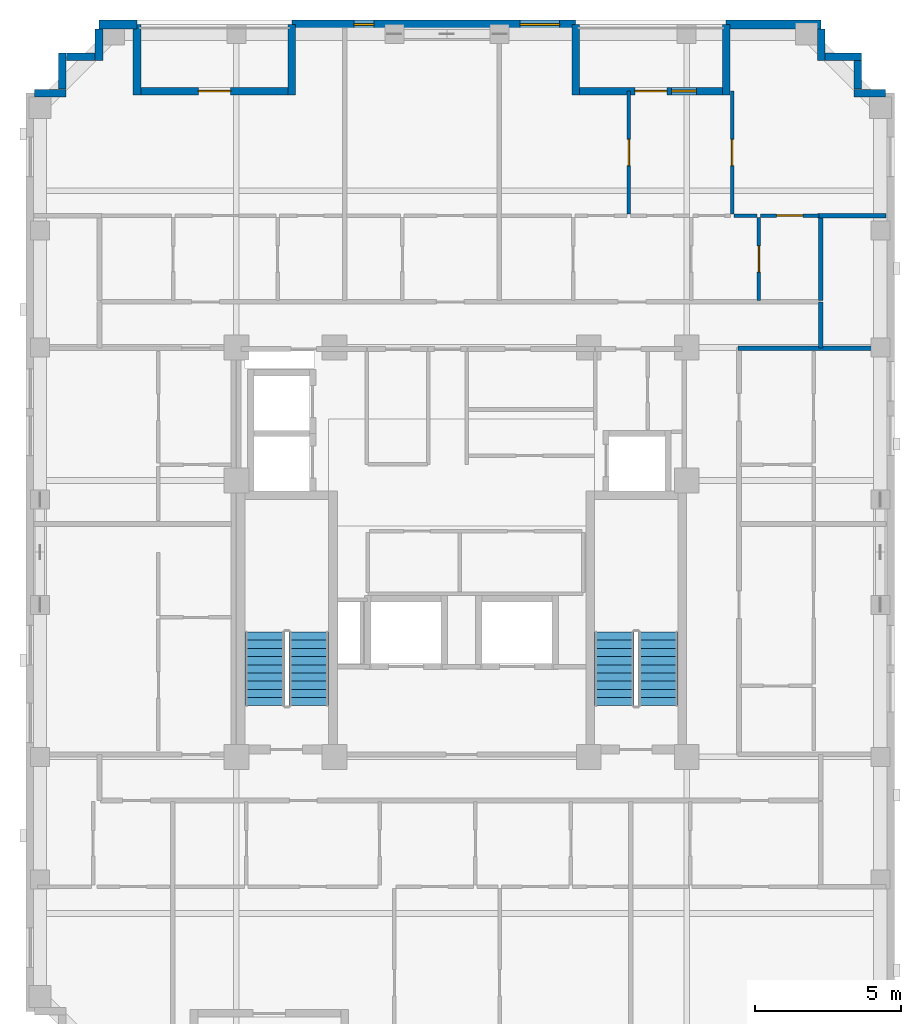
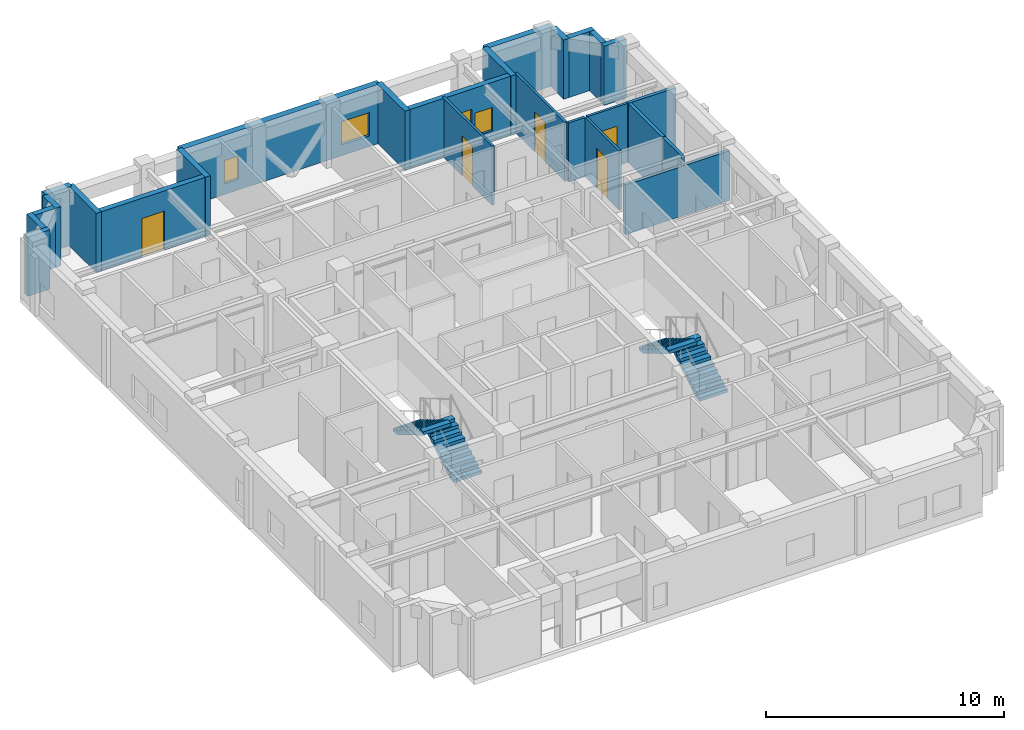
# One storey, part 7 of 11: 26 walls, 6 doors, 4 stair flights, 3 windows, 9 openings, 2 elements without a shape of their own.
"""IFC4 building model written with IfcOpenShell, lengths in metres."""

from ifc_helpers import new_model, si_unit, derived_unit, direction, frame, frame_2d, origin, place, context, subcontext, project, spatial, polyline, rectangle, outline, extrude, material, layer, layer_set, type_object, element, fill, aggregate, save


model = new_model("IFC4")

# Units and contexts
model_context = context("Model", 3, precision=1e-05, world=origin(), true_north=direction((0.0, 1.0)))
body_context = subcontext(model_context, "Body", "Model", "MODEL_VIEW")
ifc_project = project(units=[si_unit("LENGTHUNIT", "METRE"), si_unit("AREAUNIT", "SQUARE_METRE"), si_unit("VOLUMEUNIT", "CUBIC_METRE"), si_unit("PLANEANGLEUNIT", "RADIAN"), si_unit("MASSUNIT", "GRAM", prefix="KILO"), derived_unit("THERMALTRANSMITTANCEUNIT", [(si_unit("MASSUNIT", "GRAM", prefix="KILO"), 1), (si_unit("TIMEUNIT", "SECOND"), -3), (si_unit("THERMODYNAMICTEMPERATUREUNIT", "KELVIN"), -1)])], contexts=[model_context])

# Site, building, storey
site_placement = place(None, origin())
site = spatial("IfcSite", under=ifc_project, at=site_placement, CompositionType="ELEMENT")
building_placement = place(site_placement, origin())
building = spatial("IfcBuilding", under=site, at=building_placement, Name="Korrvale Station Residences", CompositionType="ELEMENT")
storey_placement = place(building_placement, frame((0.0, 0.0, 190.89990234375)))
storey = spatial("IfcBuildingStorey", under=building, at=storey_placement, Name="L55", CompositionType="ELEMENT", Elevation=190.89990234375)

# Wall
ifc_material_1 = material(Name="Precast concrete C45/55", Category="concrete")
ifc_layer_1 = layer(ifc_material_1, 0.260009765625, Name="Precast concrete C45/55")
ifc_layer_set_1 = layer_set([ifc_layer_1], Name="Precast concrete C45/55")
wall_type_1 = type_object("IfcWallType", Name="WAL-EXT-LOG260", PredefinedType="SOLIDWALL", material=ifc_layer_set_1)
wall_1_placement = place(storey_placement, frame((14.39990234375, 40.0400390625, 0.0), z_axis=(0.0, 0.0, 1.0), x_axis=(0.0, -1.0, 0.0)))
element("IfcWall", 1, at=wall_1_placement, inside=storey, type_object=wall_type_1, Name="L55 Recessed Loggia Wall BAL-L55-N2-L", PredefinedType="SOLIDWALL", context=body_context, shape_type="SweptSolid", body=[
    extrude(rectangle(XDim=2.400146484375, YDim=0.260009765625, at=frame_2d((1.2001953125, 0.0))), origin(), (0.0, 0.0, 1.0), 3.0400390625),
])

# Wall, opening, door
wall_2_placement = place(storey_placement, frame((14.533935546875, 37.77001953125, 0.0), z_axis=(0.0, 0.0, 1.0), x_axis=(1.0, 0.0, 0.0)))
wall_2 = element("IfcWall", 2, at=wall_2_placement, inside=storey, type_object=wall_type_1, Name="L55 Recessed Loggia Wall BAL-L55-N2-B", PredefinedType="SOLIDWALL", context=body_context, shape_type="SweptSolid", body=[
    extrude(rectangle(XDim=5.031982421875, YDim=0.260009765625, at=frame_2d((2.51611328125, 0.0))), origin(), (0.0, 0.0, 1.0), 3.0400390625),
])
opening_1_placement = place(wall_2_placement, frame((1.966064453125, 0.0, 0.0)))
opening_1 = element("IfcOpeningElement", 3, at=opening_1_placement, cuts=wall_2, Name="Opening BD-01", PredefinedType="OPENING", context=body_context, shape_type="SweptSolid", body=[
    extrude(rectangle(XDim=1.10009765625, YDim=2.0, at=frame_2d((0.550048828125, 1.0))), frame((0.0, 0.14013671875, 0.0), z_axis=(0.0, -1.0, 0.0), x_axis=(1.0, 0.0, 0.0)), (0.0, 0.0, 1.0), 0.280029296875),
])
ifc_material_2 = material(Name="Exterior thermally broken aluminium glazed balcony door", Category="aluminium")
door_type_1 = type_object("IfcDoorType", Name="DR-EXT-BAL", OperationType="NOTDEFINED", PredefinedType="DOOR", material=ifc_material_2)
door_1_placement = place(opening_1_placement, origin())
door_1 = element("IfcDoor", 4, at=door_1_placement, inside=storey, type_object=door_type_1, Name="L55 Loggia Balcony Door BAL-L55-N2", OperationType="SINGLE_SWING_RIGHT", OverallHeight=2.0, OverallWidth=1.10009765625, PredefinedType="DOOR", context=body_context, shape_type="SweptSolid", body=[
    extrude(rectangle(XDim=1.10009765625, YDim=2.0, at=frame_2d((0.550048828125, 1.0))), frame((0.0, 0.02490234375, 0.0), z_axis=(0.0, -1.0, 0.0), x_axis=(1.0, 0.0, 0.0)), (0.0, 0.0, 1.0), 0.050048828125),
])
fill(opening_1, door_1)

# Walls
for number, where, z_axis, x_axis, name in (
    (5, (19.699951171875, 37.639892578125, 0.0), (0.0, 0.0, 1.0), (0.0, 1.0, 0.0), "L55 Recessed Loggia Wall BAL-L55-N2-R"),
    (6, (29.39990234375, 40.0400390625, 0.0), (0.0, 0.0, 1.0), (0.0, -1.0, 0.0), "L55 Recessed Loggia Wall BAL-L55-N1-L"),
):
    element("IfcWall", number, at=place(storey_placement, frame(where, z_axis=z_axis, x_axis=x_axis)), inside=storey, type_object=wall_type_1, Name=name, PredefinedType="SOLIDWALL", context=body_context, shape_type="SweptSolid", body=[
        extrude(rectangle(XDim=2.400146484375, YDim=0.260009765625, at=frame_2d((1.2001953125, 0.0))), origin(), (0.0, 0.0, 1.0), 3.0400390625),
    ])

# Wall, openings, door, window
wall_3_placement = place(storey_placement, frame((29.533935546875, 37.77001953125, 0.0), z_axis=(0.0, 0.0, 1.0), x_axis=(1.0, 0.0, 0.0)))
wall_3 = element("IfcWall", 7, at=wall_3_placement, inside=storey, type_object=wall_type_1, Name="L55 Recessed Loggia Wall BAL-L55-N1-B", PredefinedType="SOLIDWALL", context=body_context, shape_type="SweptSolid", body=[
    extrude(rectangle(XDim=4.882080078125, YDim=0.260009765625, at=frame_2d((2.44091796875, 0.0))), origin(), (0.0, 0.0, 1.0), 3.0400390625),
])
opening_2_placement = place(wall_3_placement, frame((1.89111328125, 0.0, 0.0)))
opening_2 = element("IfcOpeningElement", 8, at=opening_2_placement, cuts=wall_3, Name="Opening BD-01", PredefinedType="OPENING", context=body_context, shape_type="SweptSolid", body=[
    extrude(rectangle(XDim=1.10009765625, YDim=2.0, at=frame_2d((0.550048828125, 1.0))), frame((0.0, 0.14013671875, 0.0), z_axis=(0.0, -1.0, 0.0), x_axis=(1.0, 0.0, 0.0)), (0.0, 0.0, 1.0), 0.280029296875),
])
opening_3_placement = place(wall_3_placement, frame((3.15087890625, 0.0, 0.550048828125)))
opening_3 = element("IfcOpeningElement", 9, at=opening_3_placement, cuts=wall_3, Name="Opening W-11", PredefinedType="OPENING", context=body_context, shape_type="SweptSolid", body=[
    extrude(rectangle(XDim=0.85009765625, YDim=1.199951171875, at=frame_2d((0.425048828125, 0.60009765625))), frame((0.0, 0.14013671875, 0.0), z_axis=(0.0, -1.0, 0.0), x_axis=(1.0, 0.0, 0.0)), (0.0, 0.0, 1.0), 0.280029296875),
])
door_2_placement = place(opening_2_placement, origin())
door_2 = element("IfcDoor", 10, at=door_2_placement, inside=storey, type_object=door_type_1, Name="L55 Loggia Balcony Door BAL-L55-N1", OperationType="SINGLE_SWING_LEFT", OverallHeight=2.0, OverallWidth=1.10009765625, PredefinedType="DOOR", context=body_context, shape_type="SweptSolid", body=[
    extrude(rectangle(XDim=1.10009765625, YDim=2.0, at=frame_2d((0.550048828125, 1.0))), frame((0.0, 0.02490234375, 0.0), z_axis=(0.0, -1.0, 0.0), x_axis=(1.0, 0.0, 0.0)), (0.0, 0.0, 1.0), 0.050048828125),
])
fill(opening_2, door_2)
ifc_material_3 = material(Name="Thermally broken aluminium frame with triple low-e glazing", Category="aluminium")
window_type_1 = type_object("IfcWindowType", Name="WIN-W11", PartitioningType="SINGLE_PANEL", PredefinedType="WINDOW", material=ifc_material_3)
window_1_placement = place(opening_3_placement, origin())
window_1 = element("IfcWindow", 11, at=window_1_placement, inside=storey, type_object=window_type_1, Name="L55 Punched Window 09", OverallHeight=1.199951171875, OverallWidth=0.85009765625, PartitioningType="SINGLE_PANEL", PredefinedType="WINDOW", context=body_context, shape_type="SweptSolid", body=[
    extrude(rectangle(XDim=0.85009765625, YDim=1.199951171875, at=frame_2d((0.425048828125, 0.60009765625))), frame((0.0, 0.030029296875, 0.0), z_axis=(0.0, -1.0, 0.0), x_axis=(1.0, 0.0, 0.0)), (0.0, 0.0, 1.0), 0.06005859375),
])
fill(opening_3, window_1)

# Walls
wall_4_placement = place(storey_placement, frame((34.550048828125, 37.639892578125, 0.0), z_axis=(0.0, 0.0, 1.0), x_axis=(0.0, 1.0, 0.0)))
element("IfcWall", 12, at=wall_4_placement, inside=storey, type_object=wall_type_1, Name="L55 Recessed Loggia Wall BAL-L55-N1-R", PredefinedType="SOLIDWALL", context=body_context, shape_type="SweptSolid", body=[
    extrude(rectangle(XDim=2.400146484375, YDim=0.260009765625, at=frame_2d((1.2001953125, 0.0))), origin(), (0.0, 0.0, 1.0), 3.0400390625),
])
wall_5_placement = place(storey_placement, frame((10.902099609375, 37.699951171875, 0.0), z_axis=(0.0, 0.0, 1.0), x_axis=(1.0, 0.0, 0.0)))
element("IfcWall", 13, at=wall_5_placement, inside=storey, type_object=wall_type_1, Name="L55 Serrated Corner Precast Step NW-1", PredefinedType="SOLIDWALL", context=body_context, shape_type="SweptSolid", body=[
    extrude(rectangle(XDim=1.077880859375, YDim=0.260009765625, at=frame_2d((0.5390625, 0.0))), origin(), (0.0, 0.0, 1.0), 3.0400390625),
])
wall_6_placement = place(storey_placement, frame((11.85009765625, 37.83203125, 0.0), z_axis=(0.0, 0.0, 1.0), x_axis=(0.0, 1.0, 0.0)))
element("IfcWall", 14, at=wall_6_placement, inside=storey, type_object=wall_type_1, Name="L55 Serrated Corner Precast Step NW-2", PredefinedType="SOLIDWALL", context=body_context, shape_type="SweptSolid", body=[
    extrude(rectangle(XDim=1.248046875, YDim=0.260009765625, at=frame_2d((0.6240234375, 0.0))), origin(), (0.0, 0.0, 1.0), 3.0400390625),
])
wall_7_placement = place(storey_placement, frame((11.98193359375, 38.949951171875, 0.0), z_axis=(0.0, 0.0, 1.0), x_axis=(1.0, 0.0, 0.0)))
element("IfcWall", 15, at=wall_7_placement, inside=storey, type_object=wall_type_1, Name="L55 Serrated Corner Precast Step NW-3", PredefinedType="SOLIDWALL", context=body_context, shape_type="SweptSolid", body=[
    extrude(rectangle(XDim=0.986083984375, YDim=0.260009765625, at=frame_2d((0.4931640625, 0.0))), origin(), (0.0, 0.0, 1.0), 3.0400390625),
])
for number, where, z_axis, x_axis, name in (
    (16, (13.10009765625, 38.820068359375, 0.0), (0.0, 0.0, 1.0), (0.0, 1.0, 0.0), "L55 Serrated Corner Precast Step NW-4"),
    (17, (37.800048828125, 39.89794921875, 0.0), (0.0, 0.0, 1.0), (0.0, -1.0, 0.0), "L55 Serrated Corner Precast Step NE-1"),
):
    element("IfcWall", number, at=place(storey_placement, frame(where, z_axis=z_axis, x_axis=x_axis)), inside=storey, type_object=wall_type_1, Name=name, PredefinedType="SOLIDWALL", context=body_context, shape_type="SweptSolid", body=[
        extrude(rectangle(XDim=1.077880859375, YDim=0.260009765625, at=frame_2d((0.5390625, 0.0))), origin(), (0.0, 0.0, 1.0), 3.0400390625),
    ])
wall_8_placement = place(storey_placement, frame((37.931884765625, 38.949951171875, 0.0), z_axis=(0.0, 0.0, 1.0), x_axis=(1.0, 0.0, 0.0)))
element("IfcWall", 18, at=wall_8_placement, inside=storey, type_object=wall_type_1, Name="L55 Serrated Corner Precast Step NE-2", PredefinedType="SOLIDWALL", context=body_context, shape_type="SweptSolid", body=[
    extrude(rectangle(XDim=1.248046875, YDim=0.260009765625, at=frame_2d((0.6240234375, 0.0))), origin(), (0.0, 0.0, 1.0), 3.0400390625),
])
wall_9_placement = place(storey_placement, frame((39.050048828125, 38.818115234375, 0.0), z_axis=(0.0, 0.0, 1.0), x_axis=(0.0, -1.0, 0.0)))
element("IfcWall", 19, at=wall_9_placement, inside=storey, type_object=wall_type_1, Name="L55 Serrated Corner Precast Step NE-3", PredefinedType="SOLIDWALL", context=body_context, shape_type="SweptSolid", body=[
    extrude(rectangle(XDim=0.986083984375, YDim=0.260009765625, at=frame_2d((0.4931640625, 0.0))), origin(), (0.0, 0.0, 1.0), 3.0400390625),
])
wall_10_placement = place(storey_placement, frame((38.919921875, 37.699951171875, 0.0), z_axis=(0.0, 0.0, 1.0), x_axis=(1.0, 0.0, 0.0)))
element("IfcWall", 20, at=wall_10_placement, inside=storey, type_object=wall_type_1, Name="L55 Serrated Corner Precast Step NE-4", PredefinedType="SOLIDWALL", context=body_context, shape_type="SweptSolid", body=[
    extrude(rectangle(XDim=1.078125, YDim=0.260009765625, at=frame_2d((0.5390625, 0.0))), origin(), (0.0, 0.0, 1.0), 3.0400390625),
])
ifc_layer_2 = layer(ifc_material_1, 0.300048828125, Name="Precast concrete C45/55")
ifc_layer_set_2 = layer_set([ifc_layer_2], Name="Precast concrete C45/55")
wall_type_2 = type_object("IfcWallType", Name="WAL-EXT-PC300", PredefinedType="SOLIDWALL", material=ifc_layer_set_2)
wall_11_placement = place(storey_placement, frame((13.10009765625, 40.050048828125, 0.0), z_axis=(0.0, 0.0, 1.0), x_axis=(1.0, 0.0, 0.0)))
element("IfcWall", 21, at=wall_11_placement, inside=storey, type_object=wall_type_2, Name="L55 North Exterior Precast Wall 1", PredefinedType="SOLIDWALL", context=body_context, shape_type="SweptSolid", body=[
    extrude(rectangle(XDim=1.2998046875, YDim=0.300048828125, at=frame_2d((0.64990234375, 0.0))), origin(), (0.0, 0.0, 1.0), 3.0400390625),
])

# Wall, openings, windows
wall_12_placement = place(storey_placement, frame((19.699951171875, 40.050048828125, 0.0), z_axis=(0.0, 0.0, 1.0), x_axis=(1.0, 0.0, 0.0)))
wall_12 = element("IfcWall", 22, at=wall_12_placement, inside=storey, type_object=wall_type_2, Name="L55 North Exterior Precast Wall 2", PredefinedType="SOLIDWALL", context=body_context, shape_type="SweptSolid", body=[
    extrude(rectangle(XDim=9.699951171875, YDim=0.300048828125, at=frame_2d((4.85009765625, 0.0))), origin(), (0.0, 0.0, 1.0), 3.0400390625),
])
opening_4_placement = place(wall_12_placement, frame((2.1201171875, 0.0, 0.550048828125)))
opening_4 = element("IfcOpeningElement", 23, at=opening_4_placement, cuts=wall_12, Name="Opening W-12", PredefinedType="OPENING", context=body_context, shape_type="SweptSolid", body=[
    extrude(rectangle(XDim=0.679931640625, YDim=1.199951171875, at=frame_2d((0.33984375, 0.60009765625))), frame((0.0, 0.16015625, 0.0), z_axis=(0.0, -1.0, 0.0), x_axis=(1.0, 0.0, 0.0)), (0.0, 0.0, 1.0), 0.320068359375),
])
opening_5_placement = place(wall_12_placement, frame((7.800048828125, 0.0, 0.550048828125)))
opening_5 = element("IfcOpeningElement", 24, at=opening_5_placement, cuts=wall_12, Name="Opening W-10", PredefinedType="OPENING", context=body_context, shape_type="SweptSolid", body=[
    extrude(rectangle(XDim=1.35009765625, YDim=1.199951171875, at=frame_2d((0.675048828125, 0.60009765625))), frame((0.0, 0.16015625, 0.0), z_axis=(0.0, -1.0, 0.0), x_axis=(1.0, 0.0, 0.0)), (0.0, 0.0, 1.0), 0.320068359375),
])
window_type_2 = type_object("IfcWindowType", Name="WIN-W10", PartitioningType="SINGLE_PANEL", PredefinedType="WINDOW", material=ifc_material_3)
window_2_placement = place(opening_5_placement, origin())
window_2 = element("IfcWindow", 25, at=window_2_placement, inside=storey, type_object=window_type_2, Name="L55 Punched Window 08", OverallHeight=1.199951171875, OverallWidth=1.35009765625, PartitioningType="SINGLE_PANEL", PredefinedType="WINDOW", context=body_context, shape_type="SweptSolid", body=[
    extrude(rectangle(XDim=1.35009765625, YDim=1.199951171875, at=frame_2d((0.675048828125, 0.60009765625))), frame((0.0, 0.030029296875, 0.0), z_axis=(0.0, -1.0, 0.0), x_axis=(1.0, 0.0, 0.0)), (0.0, 0.0, 1.0), 0.06005859375),
])
fill(opening_5, window_2)
window_type_3 = type_object("IfcWindowType", Name="WIN-W12", PartitioningType="SINGLE_PANEL", PredefinedType="WINDOW", material=ifc_material_3)
window_3_placement = place(opening_4_placement, origin())
window_3 = element("IfcWindow", 26, at=window_3_placement, inside=storey, type_object=window_type_3, Name="L55 Punched Window 07", OverallHeight=1.199951171875, OverallWidth=0.679931640625, PartitioningType="SINGLE_PANEL", PredefinedType="WINDOW", context=body_context, shape_type="SweptSolid", body=[
    extrude(rectangle(XDim=0.679931640625, YDim=1.199951171875, at=frame_2d((0.33984375, 0.60009765625))), frame((0.0, 0.030029296875, 0.0), z_axis=(0.0, -1.0, 0.0), x_axis=(1.0, 0.0, 0.0)), (0.0, 0.0, 1.0), 0.06005859375),
])
fill(opening_4, window_3)

# Wall
wall_13_placement = place(storey_placement, frame((34.550048828125, 40.050048828125, 0.0), z_axis=(0.0, 0.0, 1.0), x_axis=(1.0, 0.0, 0.0)))
element("IfcWall", 27, at=wall_13_placement, inside=storey, type_object=wall_type_2, Name="L55 North Exterior Precast Wall 3", PredefinedType="SOLIDWALL", context=body_context, shape_type="SweptSolid", body=[
    extrude(rectangle(XDim=3.25, YDim=0.300048828125, at=frame_2d((1.625, 0.0))), origin(), (0.0, 0.0, 1.0), 3.0400390625),
])

# Wall, opening, door
ifc_material_4 = material(Name="Acoustic steel-stud gypsum board partition", Category="steel")
ifc_layer_3 = layer(ifc_material_4, 0.1201171875, Name="Acoustic steel-stud gypsum board partition")
ifc_layer_set_3 = layer_set([ifc_layer_3], Name="Acoustic steel-stud gypsum board partition")
wall_type_3 = type_object("IfcWallType", Name="WAL-PART-125", PredefinedType="PARTITIONING", material=ifc_layer_set_3)
wall_14_placement = place(storey_placement, frame((35.672119140625, 30.60009765625, 0.0), z_axis=(0.0, 0.0, 1.0), x_axis=(0.0, 1.0, 0.0)))
wall_14 = element("IfcWall", 28, at=wall_14_placement, inside=storey, type_object=wall_type_3, Name="L55 Suite Partition U06-V23", PredefinedType="PARTITIONING", context=body_context, shape_type="SweptSolid", body=[
    extrude(rectangle(XDim=2.849853515625, YDim=0.1201171875, at=frame_2d((1.4248046875, 0.0))), origin(), (0.0, 0.0, 1.0), 3.0400390625),
])
opening_6_placement = place(wall_14_placement, frame((0.97509765625, 0.0, 0.0)))
opening_6 = element("IfcOpeningElement", 29, at=opening_6_placement, cuts=wall_14, Name="Opening DI-900", PredefinedType="OPENING", context=body_context, shape_type="SweptSolid", body=[
    extrude(rectangle(XDim=0.89990234375, YDim=2.050048828125, at=frame_2d((0.449951171875, 1.02490234375))), frame((0.0, 0.070068359375, 0.0), z_axis=(0.0, -1.0, 0.0), x_axis=(1.0, 0.0, 0.0)), (0.0, 0.0, 1.0), 0.14013671875),
])
ifc_material_5 = material(Name="Painted solid-core timber interior room door", Category="wood")
door_type_2 = type_object("IfcDoorType", Name="DR-INT-900", OperationType="NOTDEFINED", PredefinedType="DOOR", material=ifc_material_5)
door_3_placement = place(opening_6_placement, origin())
door_3 = element("IfcDoor", 30, at=door_3_placement, inside=storey, type_object=door_type_2, Name="L55 Apartment 1BR L55-U06 Wardrobe Storage Room Door", OperationType="SINGLE_SWING_LEFT", OverallHeight=2.050048828125, OverallWidth=0.89990234375, PredefinedType="DOOR", context=body_context, shape_type="SweptSolid", body=[
    extrude(rectangle(XDim=0.89990234375, YDim=2.050048828125, at=frame_2d((0.449951171875, 1.02490234375))), frame((0.0, 0.02490234375, 0.0), z_axis=(0.0, -1.0, 0.0), x_axis=(1.0, 0.0, 0.0)), (0.0, 0.0, 1.0), 0.050048828125),
])
fill(opening_6, door_3)

# Wall
wall_15_placement = place(storey_placement, frame((34.81005859375, 33.510009765625, 0.0), z_axis=(0.0, 0.0, 1.0), x_axis=(1.0, 0.0, 0.0)))
element("IfcWall", 31, at=wall_15_placement, inside=storey, type_object=wall_type_3, Name="L55 Suite Partition U06-H26", PredefinedType="PARTITIONING", context=body_context, shape_type="SweptSolid", body=[
    extrude(rectangle(XDim=0.802001953125, YDim=0.1201171875, at=frame_2d((0.40087890625, 0.0))), origin(), (0.0, 0.0, 1.0), 3.0400390625),
])

# Wall, opening, door
wall_16_placement = place(storey_placement, frame((35.73193359375, 33.510009765625, 0.0), z_axis=(0.0, 0.0, 1.0), x_axis=(1.0, 0.0, 0.0)))
wall_16 = element("IfcWall", 32, at=wall_16_placement, inside=storey, type_object=wall_type_3, Name="L55 Suite Partition U06-H36", PredefinedType="PARTITIONING", context=body_context, shape_type="SweptSolid", body=[
    extrude(rectangle(XDim=1.988037109375, YDim=0.1201171875, at=frame_2d((0.994140625, 0.0))), origin(), (0.0, 0.0, 1.0), 3.0400390625),
])
opening_7_placement = place(wall_16_placement, frame((0.5439453125, 0.0, 0.0)))
opening_7 = element("IfcOpeningElement", 33, at=opening_7_placement, cuts=wall_16, Name="Opening DI-900", PredefinedType="OPENING", context=body_context, shape_type="SweptSolid", body=[
    extrude(rectangle(XDim=0.89990234375, YDim=2.050048828125, at=frame_2d((0.449951171875, 1.02490234375))), frame((0.0, 0.070068359375, 0.0), z_axis=(0.0, -1.0, 0.0), x_axis=(1.0, 0.0, 0.0)), (0.0, 0.0, 1.0), 0.14013671875),
])
door_4_placement = place(opening_7_placement, origin())
door_4 = element("IfcDoor", 34, at=door_4_placement, inside=storey, type_object=door_type_2, Name="L55 Apartment 1BR L55-U06 Utility and Laundry Room Door", OperationType="SINGLE_SWING_LEFT", OverallHeight=2.050048828125, OverallWidth=0.89990234375, PredefinedType="DOOR", context=body_context, shape_type="SweptSolid", body=[
    extrude(rectangle(XDim=0.89990234375, YDim=2.050048828125, at=frame_2d((0.449951171875, 1.02490234375))), frame((0.0, 0.02490234375, 0.0), z_axis=(0.0, -1.0, 0.0), x_axis=(1.0, 0.0, 0.0)), (0.0, 0.0, 1.0), 0.050048828125),
])
fill(opening_7, door_4)

wall_17_placement = place(storey_placement, frame((31.222900390625, 33.570068359375, 0.0), z_axis=(0.0, 0.0, 1.0), x_axis=(0.0, 1.0, 0.0)))
wall_17 = element("IfcWall", 35, at=wall_17_placement, inside=storey, type_object=wall_type_3, Name="L55 Suite Partition U06-V45", PredefinedType="PARTITIONING", context=body_context, shape_type="SweptSolid", body=[
    extrude(rectangle(XDim=4.199951171875, YDim=0.1201171875, at=frame_2d((2.10009765625, 0.0))), origin(), (0.0, 0.0, 1.0), 3.0400390625),
])
opening_8_placement = place(wall_17_placement, frame((1.64990234375, 0.0, 0.0)))
opening_8 = element("IfcOpeningElement", 36, at=opening_8_placement, cuts=wall_17, Name="Opening DI-900", PredefinedType="OPENING", context=body_context, shape_type="SweptSolid", body=[
    extrude(rectangle(XDim=0.89990234375, YDim=2.050048828125, at=frame_2d((0.449951171875, 1.02490234375))), frame((0.0, 0.070068359375, 0.0), z_axis=(0.0, -1.0, 0.0), x_axis=(1.0, 0.0, 0.0)), (0.0, 0.0, 1.0), 0.14013671875),
])
door_5_placement = place(opening_8_placement, origin())
door_5 = element("IfcDoor", 37, at=door_5_placement, inside=storey, type_object=door_type_2, Name="L55 Apartment 1BR L55-U06 Living and Dining Room Door", OperationType="SINGLE_SWING_RIGHT", OverallHeight=2.050048828125, OverallWidth=0.89990234375, PredefinedType="DOOR", context=body_context, shape_type="SweptSolid", body=[
    extrude(rectangle(XDim=0.89990234375, YDim=2.050048828125, at=frame_2d((0.449951171875, 1.02490234375))), frame((0.0, 0.02490234375, 0.0), z_axis=(0.0, -1.0, 0.0), x_axis=(1.0, 0.0, 0.0)), (0.0, 0.0, 1.0), 0.050048828125),
])
fill(opening_8, door_5)

wall_18_placement = place(storey_placement, frame((34.75, 33.570068359375, 0.0), z_axis=(0.0, 0.0, 1.0), x_axis=(0.0, 1.0, 0.0)))
wall_18 = element("IfcWall", 38, at=wall_18_placement, inside=storey, type_object=wall_type_3, Name="L55 Suite Partition U06-V56", PredefinedType="PARTITIONING", context=body_context, shape_type="SweptSolid", body=[
    extrude(rectangle(XDim=4.199951171875, YDim=0.1201171875, at=frame_2d((2.10009765625, 0.0))), origin(), (0.0, 0.0, 1.0), 3.0400390625),
])
opening_9_placement = place(wall_18_placement, frame((1.64990234375, 0.0, 0.0)))
opening_9 = element("IfcOpeningElement", 39, at=opening_9_placement, cuts=wall_18, Name="Opening DI-900", PredefinedType="OPENING", context=body_context, shape_type="SweptSolid", body=[
    extrude(rectangle(XDim=0.89990234375, YDim=2.050048828125, at=frame_2d((0.449951171875, 1.02490234375))), frame((0.0, 0.070068359375, 0.0), z_axis=(0.0, -1.0, 0.0), x_axis=(1.0, 0.0, 0.0)), (0.0, 0.0, 1.0), 0.14013671875),
])
door_6_placement = place(opening_9_placement, origin())
door_6 = element("IfcDoor", 40, at=door_6_placement, inside=storey, type_object=door_type_2, Name="L55 Apartment 1BR L55-U06 Formal Dining Room Door", OperationType="SINGLE_SWING_LEFT", OverallHeight=2.050048828125, OverallWidth=0.89990234375, PredefinedType="DOOR", context=body_context, shape_type="SweptSolid", body=[
    extrude(rectangle(XDim=0.89990234375, YDim=2.050048828125, at=frame_2d((0.449951171875, 1.02490234375))), frame((0.0, 0.02490234375, 0.0), z_axis=(0.0, -1.0, 0.0), x_axis=(1.0, 0.0, 0.0)), (0.0, 0.0, 1.0), 0.050048828125),
])
fill(opening_9, door_6)

# Walls
ifc_material_6 = material(Name="Fire-rated twin-stud gypsum and mineral wool shaftwall assembly", Category="gypsum")
ifc_layer_4 = layer(ifc_material_6, 0.159912109375, Name="Fire-rated twin-stud gypsum and mineral wool shaftwall assembly")
ifc_layer_set_4 = layer_set([ifc_layer_4], Name="Fire-rated twin-stud gypsum and mineral wool shaftwall assembly")
wall_type_4 = type_object("IfcWallType", Name="WAL-PART-200", PredefinedType="PARTITIONING", material=ifc_layer_set_4)
wall_19_placement = place(storey_placement, frame((37.780029296875, 28.97998046875, 0.0), z_axis=(0.0, 0.0, 1.0), x_axis=(0.0, 1.0, 0.0)))
element("IfcWall", 41, at=wall_19_placement, inside=storey, type_object=wall_type_4, Name="L55 Corridor North East Cap", PredefinedType="PARTITIONING", context=body_context, shape_type="SweptSolid", body=[
    extrude(rectangle(XDim=1.580078125, YDim=0.159912109375, at=frame_2d((0.7900390625, 0.0))), origin(), (0.0, 0.0, 1.0), 3.0400390625),
])
wall_20_placement = place(storey_placement, frame((34.949951171875, 28.97998046875, 0.0), z_axis=(0.0, 0.0, 1.0), x_axis=(1.0, 0.0, 0.0)))
element("IfcWall", 42, at=wall_20_placement, inside=storey, type_object=wall_type_4, Name="L55 East Wing North Corridor Wall", PredefinedType="PARTITIONING", context=body_context, shape_type="SweptSolid", body=[
    extrude(rectangle(XDim=5.070068359375, YDim=0.159912109375, at=frame_2d((2.53515625, 0.0))), origin(), (0.0, 0.0, 1.0), 2.55615234375),
])
wall_21_placement = place(storey_placement, frame((37.679931640625, 33.510009765625, 0.0), z_axis=(0.0, 0.0, 1.0), x_axis=(1.0, 0.0, 0.0)))
element("IfcWall", 43, at=wall_21_placement, inside=storey, type_object=wall_type_4, Name="L55 Corner Step Wall U06-R", PredefinedType="PARTITIONING", context=body_context, shape_type="SweptSolid", body=[
    extrude(rectangle(XDim=2.340087890625, YDim=0.159912109375, at=frame_2d((1.169921875, 0.0))), origin(), (0.0, 0.0, 1.0), 3.0400390625),
])
wall_22_placement = place(storey_placement, frame((37.780029296875, 30.60009765625, 0.0), z_axis=(0.0, 0.0, 1.0), x_axis=(0.0, 1.0, 0.0)))
element("IfcWall", 44, at=wall_22_placement, inside=storey, type_object=wall_type_4, Name="L55 Corner Step Cheek U06-R", PredefinedType="PARTITIONING", context=body_context, shape_type="SweptSolid", body=[
    extrude(rectangle(XDim=2.909912109375, YDim=0.159912109375, at=frame_2d((1.455078125, 0.0))), origin(), (0.0, 0.0, 1.0), 3.0400390625),
])

# Stair, stair flights
ifc_material_7 = material(Name="Concrete C50/60", Category="concrete")
stair_type = type_object("IfcStairType", Name="STR-DL-1350-20R-1650", PredefinedType="HALF_TURN_STAIR", material=ifc_material_7)
stair_1_placement = place(storey_placement, origin())
stair_1 = element("IfcStair", 45, at=stair_1_placement, inside=storey, type_object=stair_type, Name="L55 Exit Stair 1", PredefinedType="HALF_TURN_STAIR")
stair_flight_type = type_object("IfcStairFlightType", Name="FLT-DL-1350-20R-1650", PredefinedType="STRAIGHT", material=ifc_material_7)
stair_flight_1_placement = place(storey_placement, frame((20.27490234375, 16.75, 0.0), z_axis=(0.0, 0.0, 1.0), x_axis=(0.0, 1.0, 0.0)))
stair_flight_1 = element("IfcStairFlight", 46, at=stair_flight_1_placement, type_object=stair_flight_type, Name="ST-1 flight 1", NumberOfRisers=10, NumberOfTreads=9, PredefinedType="STRAIGHT", RiserHeight=0.165, TreadLength=0.28, context=body_context, shape_type="SweptSolid", body=[
    extrude(outline(polyline([(0.0, 0.0), (0.0, 0.1650390625), (0.280029296875, 0.1650390625), (0.280029296875, 0.330078125), (0.56005859375, 0.330078125), (0.56005859375, 0.4951171875), (0.840087890625, 0.4951171875), (0.840087890625, 0.659912109375), (1.1201171875, 0.659912109375), (1.1201171875, 0.824951171875), (1.39990234375, 0.824951171875), (1.39990234375, 0.989990234375), (1.679931640625, 0.989990234375), (1.679931640625, 1.155029296875), (1.9599609375, 1.155029296875), (1.9599609375, 1.320068359375), (2.239990234375, 1.320068359375), (2.239990234375, 1.485107421875), (2.52001953125, 1.485107421875), (2.52001953125, 1.64990234375), (2.52001953125, 1.31103515625), (0.295166015625, 0.0), (0.0, 0.0)])), frame((0.0, 0.675048828125, 0.0), z_axis=(0.0, -1.0, 0.0), x_axis=(1.0, 0.0, 0.0)), (0.0, 0.0, 1.0), 1.35009765625),
])
stair_flight_2_placement = place(storey_placement, frame((18.77490234375, 19.27001953125, 1.650146484375), z_axis=(0.0, 0.0, 1.0), x_axis=(0.0, -1.0, 0.0)))
stair_flight_2 = element("IfcStairFlight", 47, at=stair_flight_2_placement, type_object=stair_flight_type, Name="ST-1 flight 2", NumberOfRisers=10, NumberOfTreads=9, PredefinedType="STRAIGHT", RiserHeight=0.165, TreadLength=0.28, context=body_context, shape_type="SweptSolid", body=[
    extrude(outline(polyline([(0.0, 0.0), (0.0, 0.1650390625), (0.280029296875, 0.1650390625), (0.280029296875, 0.330078125), (0.56005859375, 0.330078125), (0.56005859375, 0.4951171875), (0.840087890625, 0.4951171875), (0.840087890625, 0.659912109375), (1.1201171875, 0.659912109375), (1.1201171875, 0.824951171875), (1.39990234375, 0.824951171875), (1.39990234375, 0.989990234375), (1.679931640625, 0.989990234375), (1.679931640625, 1.155029296875), (1.9599609375, 1.155029296875), (1.9599609375, 1.320068359375), (2.239990234375, 1.320068359375), (2.239990234375, 1.485107421875), (2.52001953125, 1.485107421875), (2.52001953125, 1.64990234375), (2.52001953125, 1.31103515625), (0.295166015625, 0.0), (0.0, 0.0)])), frame((0.0, 0.675048828125, 0.0), z_axis=(0.0, -1.0, 0.0), x_axis=(1.0, 0.0, 0.0)), (0.0, 0.0, 1.0), 1.35009765625),
])
aggregate(stair_1, [stair_flight_1, stair_flight_2])

stair_2_placement = place(storey_placement, origin())
stair_2 = element("IfcStair", 48, at=stair_2_placement, inside=storey, type_object=stair_type, Name="L55 Exit Stair 2", PredefinedType="HALF_TURN_STAIR")
stair_flight_3_placement = place(storey_placement, frame((32.22509765625, 16.75, 0.0), z_axis=(0.0, 0.0, 1.0), x_axis=(0.0, 1.0, 0.0)))
stair_flight_3 = element("IfcStairFlight", 49, at=stair_flight_3_placement, type_object=stair_flight_type, Name="ST-2 flight 1", NumberOfRisers=10, NumberOfTreads=9, PredefinedType="STRAIGHT", RiserHeight=0.165, TreadLength=0.28, context=body_context, shape_type="SweptSolid", body=[
    extrude(outline(polyline([(0.0, 0.0), (0.0, 0.1650390625), (0.280029296875, 0.1650390625), (0.280029296875, 0.330078125), (0.56005859375, 0.330078125), (0.56005859375, 0.4951171875), (0.840087890625, 0.4951171875), (0.840087890625, 0.659912109375), (1.1201171875, 0.659912109375), (1.1201171875, 0.824951171875), (1.39990234375, 0.824951171875), (1.39990234375, 0.989990234375), (1.679931640625, 0.989990234375), (1.679931640625, 1.155029296875), (1.9599609375, 1.155029296875), (1.9599609375, 1.320068359375), (2.239990234375, 1.320068359375), (2.239990234375, 1.485107421875), (2.52001953125, 1.485107421875), (2.52001953125, 1.64990234375), (2.52001953125, 1.31103515625), (0.295166015625, 0.0), (0.0, 0.0)])), frame((0.0, 0.675048828125, 0.0), z_axis=(0.0, -1.0, 0.0), x_axis=(1.0, 0.0, 0.0)), (0.0, 0.0, 1.0), 1.35009765625),
])
stair_flight_4_placement = place(storey_placement, frame((30.72509765625, 19.27001953125, 1.650146484375), z_axis=(0.0, 0.0, 1.0), x_axis=(0.0, -1.0, 0.0)))
stair_flight_4 = element("IfcStairFlight", 50, at=stair_flight_4_placement, type_object=stair_flight_type, Name="ST-2 flight 2", NumberOfRisers=10, NumberOfTreads=9, PredefinedType="STRAIGHT", RiserHeight=0.165, TreadLength=0.28, context=body_context, shape_type="SweptSolid", body=[
    extrude(outline(polyline([(0.0, 0.0), (0.0, 0.1650390625), (0.280029296875, 0.1650390625), (0.280029296875, 0.330078125), (0.56005859375, 0.330078125), (0.56005859375, 0.4951171875), (0.840087890625, 0.4951171875), (0.840087890625, 0.659912109375), (1.1201171875, 0.659912109375), (1.1201171875, 0.824951171875), (1.39990234375, 0.824951171875), (1.39990234375, 0.989990234375), (1.679931640625, 0.989990234375), (1.679931640625, 1.155029296875), (1.9599609375, 1.155029296875), (1.9599609375, 1.320068359375), (2.239990234375, 1.320068359375), (2.239990234375, 1.485107421875), (2.52001953125, 1.485107421875), (2.52001953125, 1.64990234375), (2.52001953125, 1.31103515625), (0.295166015625, 0.0), (0.0, 0.0)])), frame((0.0, 0.675048828125, 0.0), z_axis=(0.0, -1.0, 0.0), x_axis=(1.0, 0.0, 0.0)), (0.0, 0.0, 1.0), 1.35009765625),
])
aggregate(stair_2, [stair_flight_3, stair_flight_4])

save(model, "model.ifc")
